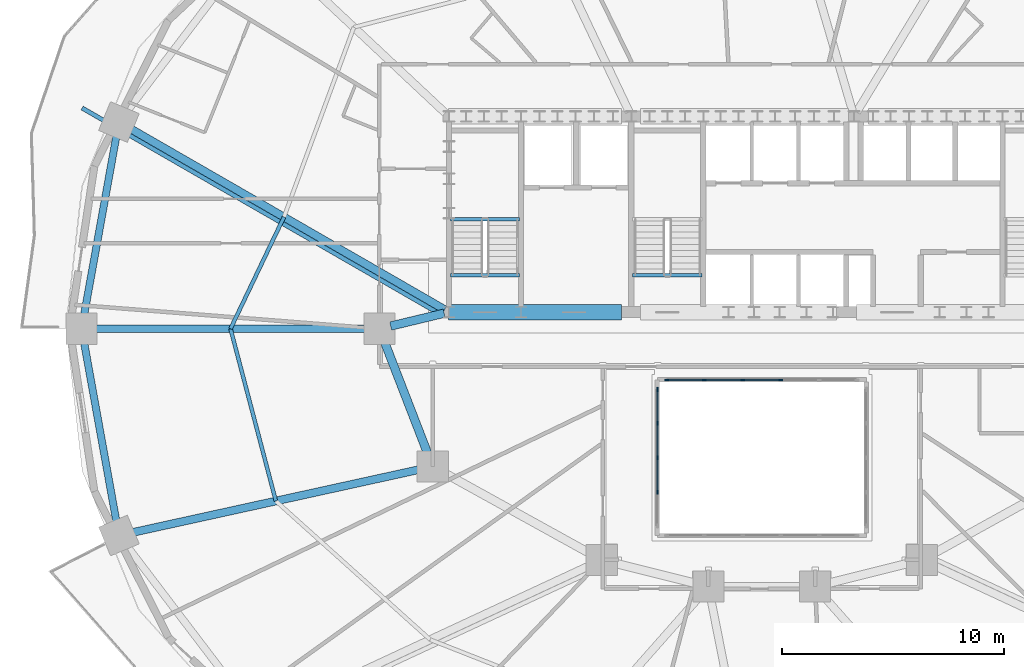
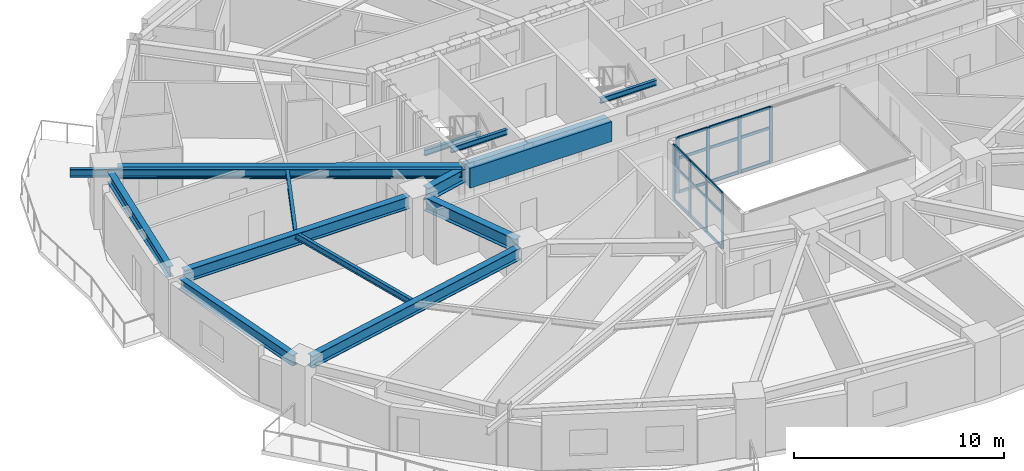
# One storey, part 4 of 17: 26 members, 14 beams, 2 elements without a shape of their own.
"""IFC4 building model written with IfcOpenShell, lengths in metres."""

from ifc_helpers import new_model, si_unit, direction, frame, origin, origin_2d, place, context, subcontext, project, spatial, rectangle, i_section, extrude, material, material_profile, profile_set, type_object, element, aggregate, save


model = new_model("IFC4")

# Units and contexts
model_context = context("Model", 3, precision=1e-05, world=origin(), true_north=direction((0.0, 1.0)))
body_context = subcontext(model_context, "Body", "Model", "MODEL_VIEW")
ifc_project = project(units=[si_unit("LENGTHUNIT", "METRE"), si_unit("AREAUNIT", "SQUARE_METRE"), si_unit("VOLUMEUNIT", "CUBIC_METRE"), si_unit("PLANEANGLEUNIT", "RADIAN"), si_unit("MASSUNIT", "GRAM", prefix="KILO")], contexts=[model_context])

# Site, building, storey
site_placement = place(None, origin())
site = spatial("IfcSite", under=ifc_project, at=site_placement, CompositionType="ELEMENT")
building_placement = place(site_placement, origin())
building = spatial("IfcBuilding", under=site, at=building_placement, Name="Haldorwick Loom Tower", CompositionType="ELEMENT")
storey_placement = place(building_placement, frame((0.0, 0.0, 30.89990234375)))
storey = spatial("IfcBuildingStorey", under=building, at=storey_placement, Name="L07", CompositionType="ELEMENT", Elevation=30.89990234375)

# Curtain wall, members
ifc_material_1 = material(Name="Thermally Broken Anodized Aluminium Curtain Wall Framing", Category="aluminium")
curtain_wall_type = type_object("IfcCurtainWallType", Name="ARC-CW-03", PredefinedType="NOTDEFINED", material=ifc_material_1)
curtain_wall_1_placement = place(storey_placement, origin())
curtain_wall_1 = element("IfcCurtainWall", 1, at=curtain_wall_1_placement, inside=storey, type_object=curtain_wall_type, Name="L07 Atrium Glazed Screen N", PredefinedType="NOTDEFINED")
ifc_material_profile_1 = material_profile(ifc_material_1, rectangle(XDim=0.06591796875, YDim=0.18505859375, at=origin_2d()), Name="ALU_MUL_66X185", Category="aluminium")
ifc_profile_set_1 = profile_set([ifc_material_profile_1], Name="Thermally Broken Anodized Aluminium Curtain Wall Framing")
member_type_1 = type_object("IfcMemberType", Name="ARC-CWM-03", PredefinedType="MULLION", material=ifc_profile_set_1)
member_1_placement = place(storey_placement, frame((31.73291015625, 23.699951171875, 0.0), z_axis=(0.0, 0.0, 1.0), x_axis=(0.0, 1.0, 0.0)))
member_1 = element("IfcMember", 2, at=member_1_placement, type_object=member_type_1, Name="CW-03 mullion 1", PredefinedType="MULLION", context=body_context, shape_type="SweptSolid", body=[
    extrude(rectangle(XDim=0.06591796875, YDim=0.18505859375, at=origin_2d()), origin(), (0.0, 0.0, 1.0), 3.210205078125),
])
member_2_placement = place(storey_placement, frame((33.419921875, 23.699951171875, 0.0), z_axis=(0.0, 0.0, 1.0), x_axis=(0.0, 1.0, 0.0)))
member_2 = element("IfcMember", 3, at=member_2_placement, type_object=member_type_1, Name="CW-03 mullion 2", PredefinedType="MULLION", context=body_context, shape_type="SweptSolid", body=[
    extrude(rectangle(XDim=0.06591796875, YDim=0.18505859375, at=origin_2d()), origin(), (0.0, 0.0, 1.0), 3.210205078125),
])
member_3_placement = place(storey_placement, frame((35.139892578125, 23.699951171875, 0.0), z_axis=(0.0, 0.0, 1.0), x_axis=(0.0, 1.0, 0.0)))
member_3 = element("IfcMember", 4, at=member_3_placement, type_object=member_type_1, Name="CW-03 mullion 3", PredefinedType="MULLION", context=body_context, shape_type="SweptSolid", body=[
    extrude(rectangle(XDim=0.06591796875, YDim=0.18505859375, at=origin_2d()), origin(), (0.0, 0.0, 1.0), 3.210205078125),
])
member_4_placement = place(storey_placement, frame((36.860107421875, 23.699951171875, 0.0), z_axis=(0.0, 0.0, 1.0), x_axis=(0.0, 1.0, 0.0)))
member_4 = element("IfcMember", 5, at=member_4_placement, type_object=member_type_1, Name="CW-03 mullion 4", PredefinedType="MULLION", context=body_context, shape_type="SweptSolid", body=[
    extrude(rectangle(XDim=0.06591796875, YDim=0.18505859375, at=origin_2d()), origin(), (0.0, 0.0, 1.0), 3.210205078125),
])

curtain_wall_2_placement = place(storey_placement, origin())
curtain_wall_2 = element("IfcCurtainWall", 6, at=curtain_wall_2_placement, inside=storey, type_object=curtain_wall_type, Name="L07 Atrium Glazed Screen W", PredefinedType="NOTDEFINED")
member_5_placement = place(storey_placement, frame((31.300048828125, 18.64990234375, 0.0), z_axis=(0.0, 0.0, 1.0), x_axis=(-1.0, 0.0, 0.0)))
member_5 = element("IfcMember", 7, at=member_5_placement, type_object=member_type_1, Name="CW-03 mullion 2", PredefinedType="MULLION", context=body_context, shape_type="SweptSolid", body=[
    extrude(rectangle(XDim=0.06591796875, YDim=0.18505859375, at=origin_2d()), origin(), (0.0, 0.0, 1.0), 3.210205078125),
])
member_6_placement = place(storey_placement, frame((31.300048828125, 20.199951171875, 0.0), z_axis=(0.0, 0.0, 1.0), x_axis=(-1.0, 0.0, 0.0)))
member_6 = element("IfcMember", 8, at=member_6_placement, type_object=member_type_1, Name="CW-03 mullion 3", PredefinedType="MULLION", context=body_context, shape_type="SweptSolid", body=[
    extrude(rectangle(XDim=0.06591796875, YDim=0.18505859375, at=origin_2d()), origin(), (0.0, 0.0, 1.0), 3.210205078125),
])
member_7_placement = place(storey_placement, frame((31.300048828125, 21.75, 0.0), z_axis=(0.0, 0.0, 1.0), x_axis=(-1.0, 0.0, 0.0)))
member_7 = element("IfcMember", 9, at=member_7_placement, type_object=member_type_1, Name="CW-03 mullion 4", PredefinedType="MULLION", context=body_context, shape_type="SweptSolid", body=[
    extrude(rectangle(XDim=0.06591796875, YDim=0.18505859375, at=origin_2d()), origin(), (0.0, 0.0, 1.0), 3.210205078125),
])
member_8_placement = place(storey_placement, frame((31.300048828125, 23.26708984375, 0.0), z_axis=(0.0, 0.0, 1.0), x_axis=(-1.0, 0.0, 0.0)))
member_8 = element("IfcMember", 10, at=member_8_placement, type_object=member_type_1, Name="CW-03 mullion 5", PredefinedType="MULLION", context=body_context, shape_type="SweptSolid", body=[
    extrude(rectangle(XDim=0.06591796875, YDim=0.18505859375, at=origin_2d()), origin(), (0.0, 0.0, 1.0), 3.210205078125),
])

# Member
ifc_material_profile_2 = material_profile(ifc_material_1, rectangle(XDim=0.06591796875, YDim=0.1650390625, at=origin_2d()), Name="ALU_TRN_66X165", Category="aluminium")
ifc_profile_set_2 = profile_set([ifc_material_profile_2], Name="Thermally Broken Anodized Aluminium Curtain Wall Framing")
member_type_2 = type_object("IfcMemberType", Name="ARC-CWT-03", PredefinedType="USERDEFINED", material=ifc_profile_set_2)
member_9_placement = place(storey_placement, frame((31.76611328125, 23.699951171875, 0.033203125), z_axis=(1.0, 0.0, 0.0), x_axis=(0.0, 1.0, 0.0)))
member_9 = element("IfcMember", 11, at=member_9_placement, type_object=member_type_2, Name="CW-03 transom 1.1", ObjectType="TRANSOM", PredefinedType="USERDEFINED", context=body_context, shape_type="SweptSolid", body=[
    extrude(rectangle(XDim=0.06591796875, YDim=0.1650390625, at=origin_2d()), origin(), (0.0, 0.0, 1.0), 1.620849609375),
])

member_10_placement = place(storey_placement, frame((31.76611328125, 23.699951171875, 2.0), z_axis=(1.0, 0.0, 0.0), x_axis=(0.0, 1.0, 0.0)))
member_10 = element("IfcMember", 12, at=member_10_placement, type_object=member_type_2, Name="CW-03 transom 1.2", ObjectType="TRANSOM", PredefinedType="USERDEFINED", context=body_context, shape_type="SweptSolid", body=[
    extrude(rectangle(XDim=0.06591796875, YDim=0.1650390625, at=origin_2d()), origin(), (0.0, 0.0, 1.0), 1.620849609375),
])

member_11_placement = place(storey_placement, frame((31.76611328125, 23.699951171875, 3.177001953125), z_axis=(1.0, 0.0, 0.0), x_axis=(0.0, 1.0, 0.0)))
member_11 = element("IfcMember", 13, at=member_11_placement, type_object=member_type_2, Name="CW-03 transom 1.3", ObjectType="TRANSOM", PredefinedType="USERDEFINED", context=body_context, shape_type="SweptSolid", body=[
    extrude(rectangle(XDim=0.06591796875, YDim=0.1650390625, at=origin_2d()), origin(), (0.0, 0.0, 1.0), 1.620849609375),
])

member_12_placement = place(storey_placement, frame((33.452880859375, 23.699951171875, 0.033203125), z_axis=(1.0, 0.0, 0.0), x_axis=(0.0, 1.0, 0.0)))
member_12 = element("IfcMember", 14, at=member_12_placement, type_object=member_type_2, Name="CW-03 transom 2.1", ObjectType="TRANSOM", PredefinedType="USERDEFINED", context=body_context, shape_type="SweptSolid", body=[
    extrude(rectangle(XDim=0.06591796875, YDim=0.1650390625, at=origin_2d()), origin(), (0.0, 0.0, 1.0), 1.654052734375),
])

member_13_placement = place(storey_placement, frame((33.452880859375, 23.699951171875, 2.0), z_axis=(1.0, 0.0, 0.0), x_axis=(0.0, 1.0, 0.0)))
member_13 = element("IfcMember", 15, at=member_13_placement, type_object=member_type_2, Name="CW-03 transom 2.2", ObjectType="TRANSOM", PredefinedType="USERDEFINED", context=body_context, shape_type="SweptSolid", body=[
    extrude(rectangle(XDim=0.06591796875, YDim=0.1650390625, at=origin_2d()), origin(), (0.0, 0.0, 1.0), 1.654052734375),
])

member_14_placement = place(storey_placement, frame((33.452880859375, 23.699951171875, 3.177001953125), z_axis=(1.0, 0.0, 0.0), x_axis=(0.0, 1.0, 0.0)))
member_14 = element("IfcMember", 16, at=member_14_placement, type_object=member_type_2, Name="CW-03 transom 2.3", ObjectType="TRANSOM", PredefinedType="USERDEFINED", context=body_context, shape_type="SweptSolid", body=[
    extrude(rectangle(XDim=0.06591796875, YDim=0.1650390625, at=origin_2d()), origin(), (0.0, 0.0, 1.0), 1.654052734375),
])

member_15_placement = place(storey_placement, frame((35.173095703125, 23.699951171875, 0.033203125), z_axis=(1.0, 0.0, 0.0), x_axis=(0.0, 1.0, 0.0)))
member_15 = element("IfcMember", 17, at=member_15_placement, type_object=member_type_2, Name="CW-03 transom 3.1", ObjectType="TRANSOM", PredefinedType="USERDEFINED", context=body_context, shape_type="SweptSolid", body=[
    extrude(rectangle(XDim=0.06591796875, YDim=0.1650390625, at=origin_2d()), origin(), (0.0, 0.0, 1.0), 1.65380859375),
])

member_16_placement = place(storey_placement, frame((35.173095703125, 23.699951171875, 2.0), z_axis=(1.0, 0.0, 0.0), x_axis=(0.0, 1.0, 0.0)))
member_16 = element("IfcMember", 18, at=member_16_placement, type_object=member_type_2, Name="CW-03 transom 3.2", ObjectType="TRANSOM", PredefinedType="USERDEFINED", context=body_context, shape_type="SweptSolid", body=[
    extrude(rectangle(XDim=0.06591796875, YDim=0.1650390625, at=origin_2d()), origin(), (0.0, 0.0, 1.0), 1.65380859375),
])

member_17_placement = place(storey_placement, frame((35.173095703125, 23.699951171875, 3.177001953125), z_axis=(1.0, 0.0, 0.0), x_axis=(0.0, 1.0, 0.0)))
member_17 = element("IfcMember", 19, at=member_17_placement, type_object=member_type_2, Name="CW-03 transom 3.3", ObjectType="TRANSOM", PredefinedType="USERDEFINED", context=body_context, shape_type="SweptSolid", body=[
    extrude(rectangle(XDim=0.06591796875, YDim=0.1650390625, at=origin_2d()), origin(), (0.0, 0.0, 1.0), 1.65380859375),
])

aggregate(curtain_wall_1, [member_1, member_2, member_3, member_4, member_9, member_10, member_11, member_12, member_13, member_14, member_15, member_16, member_17])

member_18_placement = place(storey_placement, frame((31.300048828125, 18.68310546875, 0.033203125), z_axis=(0.0, 1.0, 0.0), x_axis=(-1.0, 0.0, 0.0)))
member_18 = element("IfcMember", 20, at=member_18_placement, type_object=member_type_2, Name="CW-03 transom 2.1", ObjectType="TRANSOM", PredefinedType="USERDEFINED", context=body_context, shape_type="SweptSolid", body=[
    extrude(rectangle(XDim=0.06591796875, YDim=0.1650390625, at=origin_2d()), origin(), (0.0, 0.0, 1.0), 1.48388671875),
])

member_19_placement = place(storey_placement, frame((31.300048828125, 18.68310546875, 2.0), z_axis=(0.0, 1.0, 0.0), x_axis=(-1.0, 0.0, 0.0)))
member_19 = element("IfcMember", 21, at=member_19_placement, type_object=member_type_2, Name="CW-03 transom 2.2", ObjectType="TRANSOM", PredefinedType="USERDEFINED", context=body_context, shape_type="SweptSolid", body=[
    extrude(rectangle(XDim=0.06591796875, YDim=0.1650390625, at=origin_2d()), origin(), (0.0, 0.0, 1.0), 1.48388671875),
])

member_20_placement = place(storey_placement, frame((31.300048828125, 18.68310546875, 3.177001953125), z_axis=(0.0, 1.0, 0.0), x_axis=(-1.0, 0.0, 0.0)))
member_20 = element("IfcMember", 22, at=member_20_placement, type_object=member_type_2, Name="CW-03 transom 2.3", ObjectType="TRANSOM", PredefinedType="USERDEFINED", context=body_context, shape_type="SweptSolid", body=[
    extrude(rectangle(XDim=0.06591796875, YDim=0.1650390625, at=origin_2d()), origin(), (0.0, 0.0, 1.0), 1.48388671875),
])

member_21_placement = place(storey_placement, frame((31.300048828125, 20.23291015625, 0.033203125), z_axis=(0.0, 1.0, 0.0), x_axis=(-1.0, 0.0, 0.0)))
member_21 = element("IfcMember", 23, at=member_21_placement, type_object=member_type_2, Name="CW-03 transom 3.1", ObjectType="TRANSOM", PredefinedType="USERDEFINED", context=body_context, shape_type="SweptSolid", body=[
    extrude(rectangle(XDim=0.06591796875, YDim=0.1650390625, at=origin_2d()), origin(), (0.0, 0.0, 1.0), 1.484130859375),
])

member_22_placement = place(storey_placement, frame((31.300048828125, 20.23291015625, 2.0), z_axis=(0.0, 1.0, 0.0), x_axis=(-1.0, 0.0, 0.0)))
member_22 = element("IfcMember", 24, at=member_22_placement, type_object=member_type_2, Name="CW-03 transom 3.2", ObjectType="TRANSOM", PredefinedType="USERDEFINED", context=body_context, shape_type="SweptSolid", body=[
    extrude(rectangle(XDim=0.06591796875, YDim=0.1650390625, at=origin_2d()), origin(), (0.0, 0.0, 1.0), 1.484130859375),
])

member_23_placement = place(storey_placement, frame((31.300048828125, 20.23291015625, 3.177001953125), z_axis=(0.0, 1.0, 0.0), x_axis=(-1.0, 0.0, 0.0)))
member_23 = element("IfcMember", 25, at=member_23_placement, type_object=member_type_2, Name="CW-03 transom 3.3", ObjectType="TRANSOM", PredefinedType="USERDEFINED", context=body_context, shape_type="SweptSolid", body=[
    extrude(rectangle(XDim=0.06591796875, YDim=0.1650390625, at=origin_2d()), origin(), (0.0, 0.0, 1.0), 1.484130859375),
])

member_24_placement = place(storey_placement, frame((31.300048828125, 21.782958984375, 0.033203125), z_axis=(0.0, 1.0, 0.0), x_axis=(-1.0, 0.0, 0.0)))
member_24 = element("IfcMember", 26, at=member_24_placement, type_object=member_type_2, Name="CW-03 transom 4.1", ObjectType="TRANSOM", PredefinedType="USERDEFINED", context=body_context, shape_type="SweptSolid", body=[
    extrude(rectangle(XDim=0.06591796875, YDim=0.1650390625, at=origin_2d()), origin(), (0.0, 0.0, 1.0), 1.450927734375),
])

member_25_placement = place(storey_placement, frame((31.300048828125, 21.782958984375, 2.0), z_axis=(0.0, 1.0, 0.0), x_axis=(-1.0, 0.0, 0.0)))
member_25 = element("IfcMember", 27, at=member_25_placement, type_object=member_type_2, Name="CW-03 transom 4.2", ObjectType="TRANSOM", PredefinedType="USERDEFINED", context=body_context, shape_type="SweptSolid", body=[
    extrude(rectangle(XDim=0.06591796875, YDim=0.1650390625, at=origin_2d()), origin(), (0.0, 0.0, 1.0), 1.450927734375),
])

member_26_placement = place(storey_placement, frame((31.300048828125, 21.782958984375, 3.177001953125), z_axis=(0.0, 1.0, 0.0), x_axis=(-1.0, 0.0, 0.0)))
member_26 = element("IfcMember", 28, at=member_26_placement, type_object=member_type_2, Name="CW-03 transom 4.3", ObjectType="TRANSOM", PredefinedType="USERDEFINED", context=body_context, shape_type="SweptSolid", body=[
    extrude(rectangle(XDim=0.06591796875, YDim=0.1650390625, at=origin_2d()), origin(), (0.0, 0.0, 1.0), 1.450927734375),
])

aggregate(curtain_wall_2, [member_5, member_6, member_7, member_8, member_18, member_19, member_20, member_21, member_22, member_23, member_24, member_25, member_26])

# Beams
ifc_material_2 = material(Name="Steel CSA G40.21 350W", Category="steel")
ifc_material_profile_3 = material_profile(ifc_material_2, i_section(OverallWidth=0.193115234375, OverallDepth=0.466064453125, WebThickness=0.011474609375, FlangeThickness=0.01904296875, at=origin_2d()), Name="W460X97", Category="steel")
ifc_profile_set_3 = profile_set([ifc_material_profile_3], Name="Steel CSA G40.21 350W")
beam_type_1 = type_object("IfcBeamType", Name="STR-BM-BAL460", PredefinedType="BEAM", material=ifc_profile_set_3)
beam_1_placement = place(storey_placement, frame((21.59521484375, 26.61962890625, 2.97705078125), z_axis=(-0.866607024941, 0.49899124674, 0.0), x_axis=(-0.49899124674, -0.866607024941, 0.0)))
element("IfcBeam", 29, at=beam_1_placement, inside=storey, type_object=beam_type_1, Name="L07 Continuous Back-Spanned Balcony Beam 3", PredefinedType="BEAM", context=body_context, shape_type="SweptSolid", body=[
    extrude(i_section(OverallWidth=0.193115234375, OverallDepth=0.466064453125, WebThickness=0.011474609375, FlangeThickness=0.01904296875, at=origin_2d()), origin(), (0.0, 0.0, 1.0), 18.65771484375),
])
ifc_material_3 = material(Name="Concrete C60 (60 MPa)", Category="concrete")
ifc_material_profile_4 = material_profile(ifc_material_3, rectangle(XDim=0.699951171875, YDim=1.14990234375, at=origin_2d()), Name="RC700X1150", Category="concrete")
ifc_profile_set_4 = profile_set([ifc_material_profile_4], Name="Concrete C60 (60 MPa)")
beam_type_2 = type_object("IfcBeamType", Name="STR-BM-CB1150", PredefinedType="LINTEL", material=ifc_profile_set_4)
beam_2_placement = place(storey_placement, frame((21.89990234375, 26.75, 2.635009765625), z_axis=(1.0, 0.0, 0.0), x_axis=(0.0, 1.0, 0.0)))
element("IfcBeam", 30, at=beam_2_placement, inside=storey, type_object=beam_type_2, Name="L07 Core Coupling Beam CB-S1", PredefinedType="LINTEL", context=body_context, shape_type="SweptSolid", body=[
    extrude(rectangle(XDim=0.699951171875, YDim=1.14990234375, at=origin_2d()), origin(), (0.0, 0.0, 1.0), 7.800048828125),
])
ifc_material_profile_5 = material_profile(ifc_material_2, i_section(OverallWidth=0.172119140625, OverallDepth=0.35791015625, WebThickness=0.0078125, FlangeThickness=0.01318359375, at=origin_2d()), Name="W360X57", Category="steel")
ifc_profile_set_5 = profile_set([ifc_material_profile_5], Name="Steel CSA G40.21 350W")
beam_type_3 = type_object("IfcBeamType", Name="STR-BM-J360", PredefinedType="JOIST", material=ifc_profile_set_5)
beam_3_placement = place(storey_placement, frame((14.50634765625, 31.024658203125, 3.031005859375), z_axis=(-0.431630738849, -0.902050389546, 0.0), x_axis=(0.902050389546, -0.431630738849, 0.0)))
element("IfcBeam", 31, at=beam_3_placement, inside=storey, type_object=beam_type_3, Name="L07 Mid-Bay Secondary Joist 8", PredefinedType="JOIST", context=body_context, shape_type="SweptSolid", body=[
    extrude(i_section(OverallWidth=0.172119140625, OverallDepth=0.35791015625, WebThickness=0.0078125, FlangeThickness=0.01318359375, at=origin_2d()), origin(), (0.0, 0.0, 1.0), 5.5703125),
])
beam_4_placement = place(storey_placement, frame((12.10205078125, 26.0, 3.031005859375), z_axis=(0.2544888003, -0.967075721193, 0.0), x_axis=(0.967075721193, 0.2544888003, 0.0)))
element("IfcBeam", 32, at=beam_4_placement, inside=storey, type_object=beam_type_3, Name="L07 Mid-Bay Secondary Joist 9", PredefinedType="JOIST", context=body_context, shape_type="SweptSolid", body=[
    extrude(i_section(OverallWidth=0.172119140625, OverallDepth=0.35791015625, WebThickness=0.0078125, FlangeThickness=0.01318359375, at=origin_2d()), origin(), (0.0, 0.0, 1.0), 8.013427734375),
])
ifc_material_profile_6 = material_profile(ifc_material_2, i_section(OverallWidth=0.324951171875, OverallDepth=0.615966796875, WebThickness=0.013916015625, FlangeThickness=0.021484375, at=origin_2d()), Name="W610X174", Category="steel")
ifc_profile_set_6 = profile_set([ifc_material_profile_6], Name="Steel CSA G40.21 350W")
beam_type_4 = type_object("IfcBeamType", Name="STR-BM-SP610", PredefinedType="SPANDREL", material=ifc_profile_set_6)
for number, where, z_axis, x_axis, name in (
    (33, (6.990234375, 34.78759765625, 2.902099609375), (-0.177641139482, -0.984095333575, 0.0), (0.984095333575, -0.177641139482, 0.0), "L07 Perimeter Spandrel 8"),
    (34, (5.496337890625, 25.48828125, 2.902099609375), (0.177641139482, -0.984095333575, 0.0), (0.984095333575, 0.177641139482, 0.0), "L07 Perimeter Spandrel 9"),
):
    element("IfcBeam", number, at=place(storey_placement, frame(where, z_axis=z_axis, x_axis=x_axis)), inside=storey, type_object=beam_type_4, Name=name, PredefinedType="SPANDREL", context=body_context, shape_type="SweptSolid", body=[
        extrude(i_section(OverallWidth=0.324951171875, OverallDepth=0.615966796875, WebThickness=0.013916015625, FlangeThickness=0.021484375, at=origin_2d()), origin(), (0.0, 0.0, 1.0), 8.40966796875),
    ])
ifc_material_profile_7 = material_profile(ifc_material_2, i_section(OverallWidth=0.166015625, OverallDepth=0.31298828125, WebThickness=0.006591796875, FlangeThickness=0.01123046875, at=origin_2d()), Name="W310X45", Category="steel")
ifc_profile_set_7 = profile_set([ifc_material_profile_7], Name="Steel CSA G40.21 350W")
beam_type_5 = type_object("IfcBeamType", Name="STR-BM-STRM", PredefinedType="BEAM", material=ifc_profile_set_7)
for number, where, z_axis, x_axis, name in (
    (35, (21.989990234375, 28.39990234375, 3.0537109375), (1.0, 0.0, 0.0), (0.0, 1.0, 0.0), "L07 Stair ST-01 Landing Edge Trimmer"),
    (36, (21.989990234375, 30.919921875, 1.36865234375), (1.0, 0.0, 0.0), (0.0, 1.0, 0.0), "L07 Stair ST-01 Half-Landing Trimmer 1"),
    (37, (30.18994140625, 28.39990234375, 3.0537109375), (1.0, 0.0, 0.0), (0.0, 1.0, 0.0), "L07 Stair ST-03 Landing Edge Trimmer"),
):
    element("IfcBeam", number, at=place(storey_placement, frame(where, z_axis=z_axis, x_axis=x_axis)), inside=storey, type_object=beam_type_5, Name=name, PredefinedType="BEAM", context=body_context, shape_type="SweptSolid", body=[
        extrude(i_section(OverallWidth=0.166015625, OverallDepth=0.31298828125, WebThickness=0.006591796875, FlangeThickness=0.01123046875, at=origin_2d()), origin(), (0.0, 0.0, 1.0), 3.1201171875),
    ])
ifc_material_profile_8 = material_profile(ifc_material_2, i_section(OverallWidth=0.35498046875, OverallDepth=0.695068359375, WebThickness=0.015380859375, FlangeThickness=0.02490234375, at=origin_2d()), Name="W690X217", Category="steel")
ifc_profile_set_8 = profile_set([ifc_material_profile_8], Name="Steel CSA G40.21 350W")
beam_type_6 = type_object("IfcBeamType", Name="STR-BM-W690", PredefinedType="BEAM", material=ifc_profile_set_8)
beam_5_placement = place(storey_placement, frame((21.735107421875, 26.8623046875, 2.862548828125), z_axis=(-0.86660566838, 0.498993602696, 0.0), x_axis=(-0.498993602696, -0.86660566838, 0.0)))
element("IfcBeam", 38, at=beam_5_placement, inside=storey, type_object=beam_type_6, Name="L07 Radial Floor Girder 8", PredefinedType="BEAM", context=body_context, shape_type="SweptSolid", body=[
    extrude(i_section(OverallWidth=0.35498046875, OverallDepth=0.695068359375, WebThickness=0.015380859375, FlangeThickness=0.02490234375, at=origin_2d()), origin(), (0.0, 0.0, 1.0), 16.387939453125),
])
beam_6_placement = place(storey_placement, frame((18.280029296875, 26.0, 2.862548828125), z_axis=(-1.0, 0.0, 0.0), x_axis=(0.0, -1.0, 0.0)))
element("IfcBeam", 39, at=beam_6_placement, inside=storey, type_object=beam_type_6, Name="L07 Radial Floor Girder 9", PredefinedType="BEAM", context=body_context, shape_type="SweptSolid", body=[
    extrude(i_section(OverallWidth=0.35498046875, OverallDepth=0.695068359375, WebThickness=0.015380859375, FlangeThickness=0.02490234375, at=origin_2d()), origin(), (0.0, 0.0, 1.0), 12.35595703125),
])
beam_7_placement = place(storey_placement, frame((20.692138671875, 19.6884765625, 2.862548828125), z_axis=(-0.976740159434, -0.214426353203, 0.0), x_axis=(0.214426353203, -0.976740159434, 0.0)))
element("IfcBeam", 40, at=beam_7_placement, inside=storey, type_object=beam_type_6, Name="L07 Radial Floor Girder 10", PredefinedType="BEAM", context=body_context, shape_type="SweptSolid", body=[
    extrude(i_section(OverallWidth=0.35498046875, OverallDepth=0.695068359375, WebThickness=0.015380859375, FlangeThickness=0.02490234375, at=origin_2d()), origin(), (0.0, 0.0, 1.0), 13.41357421875),
])
ifc_material_profile_9 = material_profile(ifc_material_2, i_section(OverallWidth=0.381103515625, OverallDepth=0.77294921875, WebThickness=0.0166015625, FlangeThickness=0.027587890625, at=origin_2d()), Name="W760X257", Category="steel")
ifc_profile_set_9 = profile_set([ifc_material_profile_9], Name="Steel CSA G40.21 350W")
beam_type_7 = type_object("IfcBeamType", Name="STR-BM-W760", PredefinedType="BEAM", material=ifc_profile_set_9)
beam_8_placement = place(storey_placement, frame((21.01220703125, 20.284912109375, 2.823486328125), z_axis=(-0.360964792353, 0.93257944363, 0.0), x_axis=(-0.93257944363, -0.360964792353, 0.0)))
element("IfcBeam", 41, at=beam_8_placement, inside=storey, type_object=beam_type_7, Name="L07 Inner Ring Girder 8", PredefinedType="BEAM", context=body_context, shape_type="SweptSolid", body=[
    extrude(i_section(OverallWidth=0.381103515625, OverallDepth=0.77294921875, WebThickness=0.0166015625, FlangeThickness=0.027587890625, at=origin_2d()), origin(), (0.0, 0.0, 1.0), 5.6083984375),
])
beam_9_placement = place(storey_placement, frame((19.3056640625, 26.12109375, 2.823486328125), z_axis=(0.97247055837, 0.233025777764, 0.0), x_axis=(-0.233025777764, 0.97247055837, 0.0)))
element("IfcBeam", 42, at=beam_9_placement, inside=storey, type_object=beam_type_7, Name="L07 Inner Ring Girder 9", PredefinedType="BEAM", context=body_context, shape_type="SweptSolid", body=[
    extrude(i_section(OverallWidth=0.381103515625, OverallDepth=0.77294921875, WebThickness=0.0166015625, FlangeThickness=0.027587890625, at=origin_2d()), origin(), (0.0, 0.0, 1.0), 2.4736328125),
])

save(model, "model.ifc")
